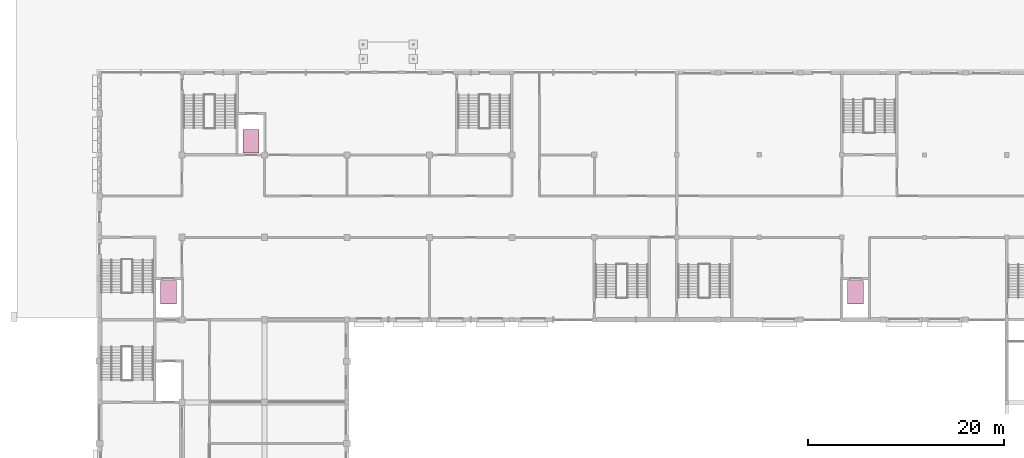
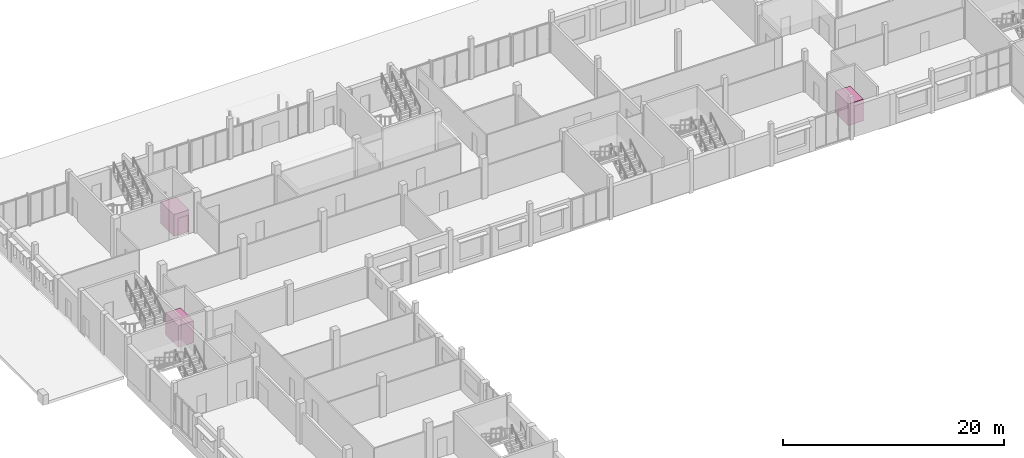
# One storey, part 101 of 101: 3 transport elements.
"""IFC4 building model written with IfcOpenShell, lengths in metres."""

from ifc_helpers import new_model, si_unit, direction, frame, origin, origin_2d, place, context, subcontext, project, spatial, rectangle, extrude, material, type_object, element, save


model = new_model("IFC4")

# Units and contexts
model_context = context("Model", 3, precision=1e-05, world=origin(), true_north=direction((0.0, 1.0)))
body_context = subcontext(model_context, "Body", "Model", "MODEL_VIEW")
ifc_project = project(units=[si_unit("LENGTHUNIT", "METRE"), si_unit("AREAUNIT", "SQUARE_METRE"), si_unit("VOLUMEUNIT", "CUBIC_METRE"), si_unit("PLANEANGLEUNIT", "RADIAN"), si_unit("MASSUNIT", "GRAM", prefix="KILO")], contexts=[model_context])

# Site, building, storey
site_placement = place(None, origin())
site = spatial("IfcSite", under=ifc_project, at=site_placement, CompositionType="ELEMENT")
building_placement = place(site_placement, origin())
building = spatial("IfcBuilding", under=site, at=building_placement, Name="Fescue Hill Polytechnic", CompositionType="ELEMENT")
storey_placement = place(building_placement, frame((0.0, 0.0, 9.0)))
storey = spatial("IfcBuildingStorey", under=building, at=storey_placement, Name="L02", CompositionType="ELEMENT", Elevation=9.0)

# Transport elements
ifc_material = material(Name="Stainless steel", Category="steel")
transport_element_type = type_object("IfcTransportElementType", Name="Passenger lift 1600 kg stretcher car", PredefinedType="ELEVATOR", material=ifc_material)
for number, where, z_axis, x_axis, name in (
    (1, (7.012451171875, 112.0, 0.0), (0.0, 0.0, 1.0), (1.0, 0.0, 0.0), "LF-V5-1 lift car"),
    (2, (15.41259765625, 127.39990234375, 0.0), (0.0, 0.0, 1.0), (1.0, 0.0, 0.0), "LF-V5-2 lift car"),
    (3, (77.0, 112.0, 0.0), (0.0, 0.0, 1.0), (1.0, 0.0, 0.0), "LF-V4b-1 lift car"),
):
    element("IfcTransportElement", number, at=place(storey_placement, frame(where, z_axis=z_axis, x_axis=x_axis)), inside=storey, type_object=transport_element_type, Name=name, PredefinedType="ELEVATOR", context=body_context, shape_type="SweptSolid", body=[
        extrude(rectangle(XDim=1.60009765625, YDim=2.39990234375, at=origin_2d()), origin(), (0.0, 0.0, 1.0), 2.39990234375),
    ])

save(model, "model.ifc")
